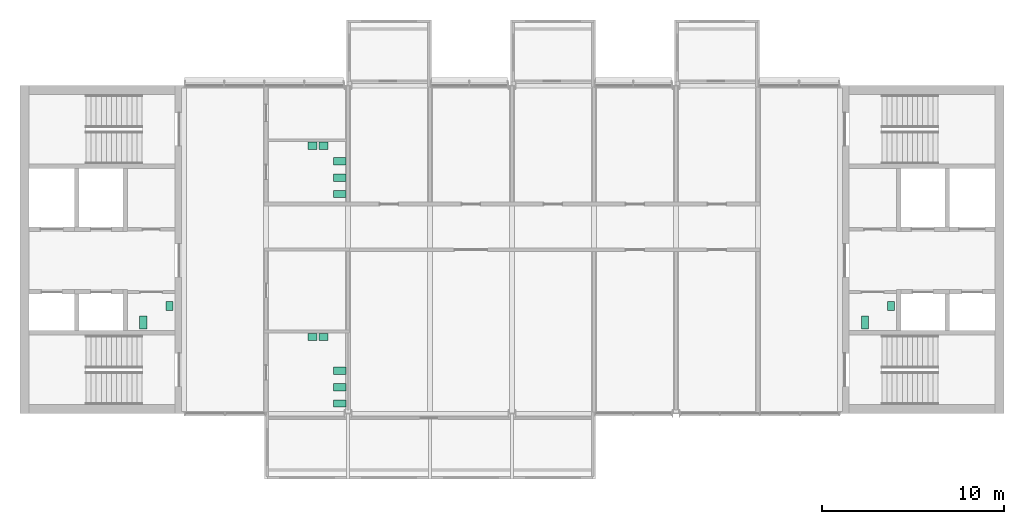
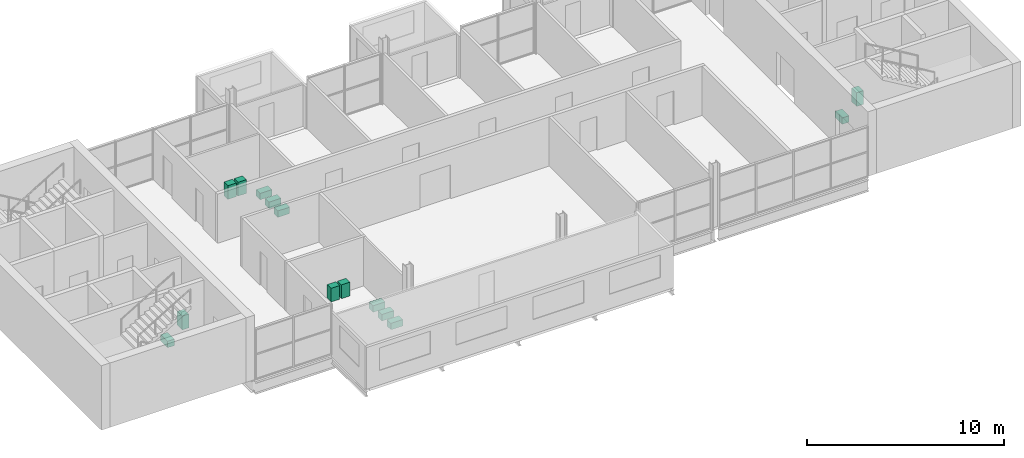
# One storey, part 11 of 11: 14 sanitary terminals.
"""IFC4 building model written with IfcOpenShell, lengths in metres."""

from ifc_helpers import new_model, si_unit, direction, frame, origin, origin_2d, place, context, subcontext, project, spatial, rectangle, extrude, element, save


model = new_model("IFC4")

# Units and contexts
model_context = context("Model", 3, precision=1e-05, world=origin(), true_north=direction((0.0, 1.0)))
body_context = subcontext(model_context, "Body", "Model", "MODEL_VIEW")
ifc_project = project(units=[si_unit("LENGTHUNIT", "METRE"), si_unit("AREAUNIT", "SQUARE_METRE"), si_unit("VOLUMEUNIT", "CUBIC_METRE"), si_unit("PLANEANGLEUNIT", "RADIAN"), si_unit("MASSUNIT", "GRAM", prefix="KILO")], contexts=[model_context])

# Site, building, storey
site_placement = place(None, origin())
site = spatial("IfcSite", under=ifc_project, at=site_placement, CompositionType="ELEMENT")
building_placement = place(site_placement, origin())
building = spatial("IfcBuilding", under=site, at=building_placement, Name="Corbel Yard City Hall", CompositionType="ELEMENT")
storey_placement = place(building_placement, frame((0.0, 0.0, 35.199951171875)))
storey = spatial("IfcBuildingStorey", under=building, at=storey_placement, Name="L08", CompositionType="ELEMENT", Elevation=35.199951171875)

# Sanitary terminals
sanitary_terminal_1_placement = place(storey_placement, frame((46.36669921875, 104.0, 0.0), z_axis=(0.0, 0.0, 1.0), x_axis=(1.0, 0.0, 0.0)))
element("IfcSanitaryTerminal", 1, at=sanitary_terminal_1_placement, inside=storey, Name="Water closet", PredefinedType="TOILETPAN", context=body_context, shape_type="SweptSolid", body=[
    extrude(rectangle(XDim=0.39990234375, YDim=0.699951171875, at=origin_2d()), origin(), (0.0, 0.0, 1.0), 0.39990234375),
])
sanitary_terminal_2_placement = place(storey_placement, frame((47.800048828125, 104.89990234375, 0.0), z_axis=(0.0, 0.0, 1.0), x_axis=(1.0, 0.0, 0.0)))
element("IfcSanitaryTerminal", 2, at=sanitary_terminal_2_placement, inside=storey, Name="Wash basin", PredefinedType="WASHHANDBASIN", context=body_context, shape_type="SweptSolid", body=[
    extrude(rectangle(XDim=0.39990234375, YDim=0.5, at=origin_2d()), origin(), (0.0, 0.0, 1.0), 0.85009765625),
])
sanitary_terminal_3_placement = place(storey_placement, frame((6.7666015625, 104.0, 0.0), z_axis=(0.0, 0.0, 1.0), x_axis=(1.0, 0.0, 0.0)))
element("IfcSanitaryTerminal", 3, at=sanitary_terminal_3_placement, inside=storey, Name="Water closet", PredefinedType="TOILETPAN", context=body_context, shape_type="SweptSolid", body=[
    extrude(rectangle(XDim=0.39990234375, YDim=0.699951171875, at=origin_2d()), origin(), (0.0, 0.0, 1.0), 0.39990234375),
])
sanitary_terminal_4_placement = place(storey_placement, frame((8.199951171875, 104.89990234375, 0.0), z_axis=(0.0, 0.0, 1.0), x_axis=(1.0, 0.0, 0.0)))
element("IfcSanitaryTerminal", 4, at=sanitary_terminal_4_placement, inside=storey, Name="Wash basin", PredefinedType="WASHHANDBASIN", context=body_context, shape_type="SweptSolid", body=[
    extrude(rectangle(XDim=0.39990234375, YDim=0.5, at=origin_2d()), origin(), (0.0, 0.0, 1.0), 0.85009765625),
])
for number, where, z_axis, x_axis, name in (
    (5, (17.550048828125, 99.550048828125, 0.0), (0.0, 0.0, 1.0), (1.0, 0.0, 0.0), "Water closet"),
    (6, (17.550048828125, 100.449951171875, 0.0), (0.0, 0.0, 1.0), (1.0, 0.0, 0.0), "Water closet"),
    (7, (17.550048828125, 101.35009765625, 0.0), (0.0, 0.0, 1.0), (1.0, 0.0, 0.0), "Water closet"),
):
    element("IfcSanitaryTerminal", number, at=place(storey_placement, frame(where, z_axis=z_axis, x_axis=x_axis)), inside=storey, Name=name, PredefinedType="TOILETPAN", context=body_context, shape_type="SweptSolid", body=[
        extrude(rectangle(XDim=0.699951171875, YDim=0.39990234375, at=origin_2d()), origin(), (0.0, 0.0, 1.0), 0.39990234375),
    ])
for number, where, z_axis, x_axis, name in (
    (8, (16.64990234375, 103.199951171875, 0.0), (0.0, 0.0, 1.0), (1.0, 0.0, 0.0), "Wash basin"),
    (9, (16.050048828125, 103.199951171875, 0.0), (0.0, 0.0, 1.0), (1.0, 0.0, 0.0), "Wash basin"),
):
    element("IfcSanitaryTerminal", number, at=place(storey_placement, frame(where, z_axis=z_axis, x_axis=x_axis)), inside=storey, Name=name, PredefinedType="WASHHANDBASIN", context=body_context, shape_type="SweptSolid", body=[
        extrude(rectangle(XDim=0.5, YDim=0.39990234375, at=origin_2d()), origin(), (0.0, 0.0, 1.0), 0.85009765625),
    ])
for number, where, z_axis, x_axis, name in (
    (10, (17.550048828125, 111.050048828125, 0.0), (0.0, 0.0, 1.0), (1.0, 0.0, 0.0), "Water closet"),
    (11, (17.550048828125, 111.949951171875, 0.0), (0.0, 0.0, 1.0), (1.0, 0.0, 0.0), "Water closet"),
    (12, (17.550048828125, 112.85009765625, 0.0), (0.0, 0.0, 1.0), (1.0, 0.0, 0.0), "Water closet"),
):
    element("IfcSanitaryTerminal", number, at=place(storey_placement, frame(where, z_axis=z_axis, x_axis=x_axis)), inside=storey, Name=name, PredefinedType="TOILETPAN", context=body_context, shape_type="SweptSolid", body=[
        extrude(rectangle(XDim=0.699951171875, YDim=0.39990234375, at=origin_2d()), origin(), (0.0, 0.0, 1.0), 0.39990234375),
    ])
for number, where, z_axis, x_axis, name in (
    (13, (16.64990234375, 113.699951171875, 0.0), (0.0, 0.0, 1.0), (1.0, 0.0, 0.0), "Wash basin"),
    (14, (16.050048828125, 113.699951171875, 0.0), (0.0, 0.0, 1.0), (1.0, 0.0, 0.0), "Wash basin"),
):
    element("IfcSanitaryTerminal", number, at=place(storey_placement, frame(where, z_axis=z_axis, x_axis=x_axis)), inside=storey, Name=name, PredefinedType="WASHHANDBASIN", context=body_context, shape_type="SweptSolid", body=[
        extrude(rectangle(XDim=0.5, YDim=0.39990234375, at=origin_2d()), origin(), (0.0, 0.0, 1.0), 0.85009765625),
    ])

save(model, "model.ifc")
